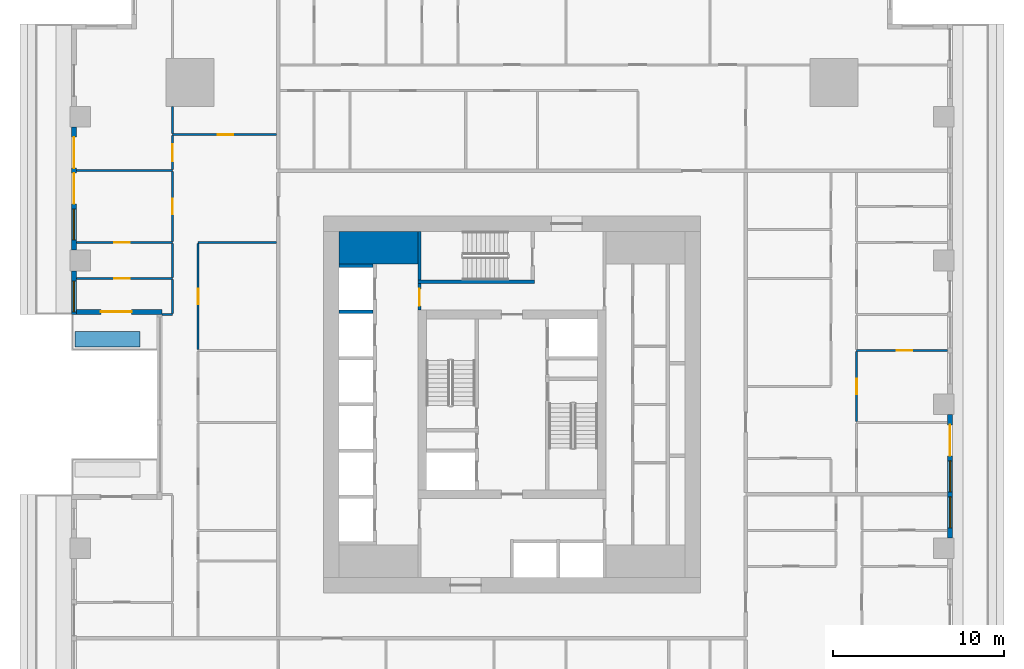
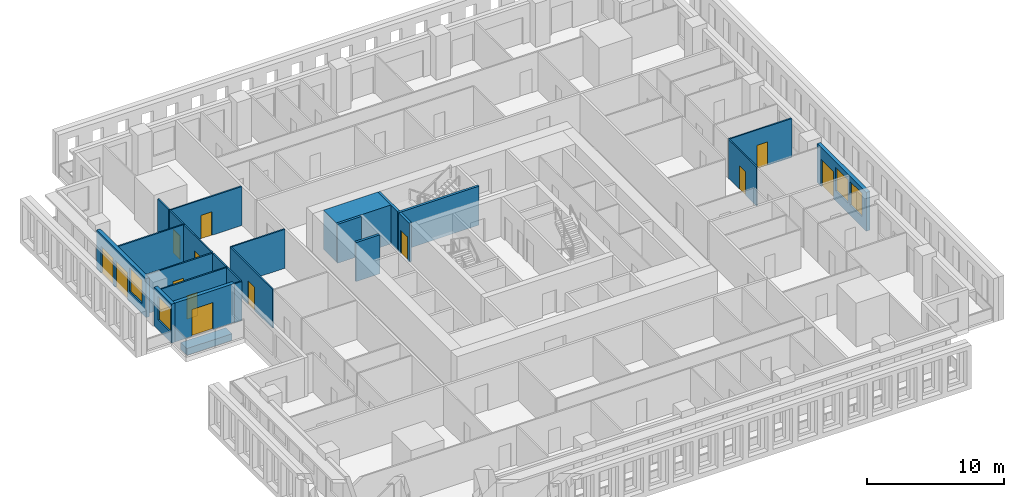
# One storey, part 6 of 14: 25 walls, 13 doors, 4 windows, 17 openings.
"""IFC4 building model written with IfcOpenShell, lengths in metres."""

from ifc_helpers import new_model, si_unit, direction, frame, frame_2d, origin, place, context, subcontext, project, spatial, rectangle, extrude, material, layer, layer_set, type_object, element, fill, save


model = new_model("IFC4")

# Units and contexts
model_context = context("Model", 3, precision=1e-05, world=origin(), true_north=direction((0.0, 1.0)))
body_context = subcontext(model_context, "Body", "Model", "MODEL_VIEW")
ifc_project = project(units=[si_unit("LENGTHUNIT", "METRE"), si_unit("AREAUNIT", "SQUARE_METRE"), si_unit("VOLUMEUNIT", "CUBIC_METRE"), si_unit("PLANEANGLEUNIT", "RADIAN"), si_unit("MASSUNIT", "GRAM", prefix="KILO")], contexts=[model_context])

# Site, building, storey
site_placement = place(None, origin())
site = spatial("IfcSite", under=ifc_project, at=site_placement, CompositionType="ELEMENT")
building_placement = place(site_placement, origin())
building = spatial("IfcBuilding", under=site, at=building_placement, Name="Khepri Terraces", CompositionType="ELEMENT")
storey_placement = place(building_placement, frame((0.0, 0.0, 87.0)))
storey = spatial("IfcBuildingStorey", under=building, at=storey_placement, Name="L20", CompositionType="ELEMENT", Elevation=87.0)

# Walls
ifc_material_1 = material(Name="Concrete C70/85", Category="concrete")
ifc_layer_1 = layer(ifc_material_1, 1.89990234375, Name="Concrete C70/85", Category="concrete")
ifc_layer_set_1 = layer_set([ifc_layer_1], Name="Concrete C70/85")
wall_type_1 = type_object("IfcWallType", Name="Core wall 1900 C70/85", PredefinedType="SHEAR", material=ifc_layer_set_1)
wall_1_placement = place(storey_placement, frame((-10.10009765625, 9.14990234375, 0.0), z_axis=(0.0, 0.0, 1.0), x_axis=(1.0, 0.0, 0.0)))
element("IfcWall", 1, at=wall_1_placement, inside=storey, type_object=wall_type_1, Name="Core wall PR03 L20", PredefinedType="SHEAR", context=body_context, shape_type="SweptSolid", body=[
    extrude(rectangle(XDim=4.60009765625, YDim=1.89990234375, at=frame_2d((2.300048828125, 0.0))), origin(), (0.0, 0.0, 1.0), 3.47998046875),
])
ifc_layer_2 = layer(ifc_material_1, 0.199951171875, Name="Concrete C70/85", Category="concrete")
ifc_layer_set_2 = layer_set([ifc_layer_2], Name="Concrete C70/85")
wall_type_2 = type_object("IfcWallType", Name="Core wall 200 C70/85", PredefinedType="SHEAR", material=ifc_layer_set_2)
wall_2_placement = place(storey_placement, frame((-5.5, 7.14990234375, 0.0), z_axis=(0.0, 0.0, 1.0), x_axis=(1.0, 0.0, 0.0)))
element("IfcWall", 2, at=wall_2_placement, inside=storey, type_object=wall_type_2, Name="Core wall ST05 L20", PredefinedType="SHEAR", context=body_context, shape_type="SweptSolid", body=[
    extrude(rectangle(XDim=6.800048828125, YDim=0.199951171875, at=frame_2d((3.39990234375, 0.0))), origin(), (0.0, 0.0, 1.0), 3.47998046875),
])
wall_3_placement = place(storey_placement, frame((-5.39990234375, 7.25, 0.0), z_axis=(0.0, 0.0, 1.0), x_axis=(0.0, 1.0, 0.0)))
element("IfcWall", 3, at=wall_3_placement, inside=storey, type_object=wall_type_2, Name="Core wall ST06 L20", PredefinedType="SHEAR", context=body_context, shape_type="SweptSolid", body=[
    extrude(rectangle(XDim=2.85009765625, YDim=0.199951171875, at=frame_2d((1.425048828125, 0.0))), origin(), (0.0, 0.0, 1.0), 3.47998046875),
])
for number, where, z_axis, x_axis, name in (
    (4, (-10.10009765625, 5.39990234375, 0.0), (0.0, 0.0, 1.0), (1.0, 0.0, 0.0), "Core wall SH19 L20"),
    (5, (-10.10009765625, 8.10009765625, 0.0), (0.0, 0.0, 1.0), (1.0, 0.0, 0.0), "Core wall SH20 L20"),
):
    element("IfcWall", number, at=place(storey_placement, frame(where, z_axis=z_axis, x_axis=x_axis)), inside=storey, type_object=wall_type_2, Name=name, PredefinedType="SHEAR", context=body_context, shape_type="SweptSolid", body=[
        extrude(rectangle(XDim=2.0, YDim=0.199951171875, at=frame_2d((1.0, 0.0))), origin(), (0.0, 0.0, 1.0), 3.47998046875),
    ])

# Wall, opening, door
ifc_material_2 = material(Name="Fire-rated gypsum board partition")
ifc_layer_3 = layer(ifc_material_2, 0.199951171875, Name="Fire-rated gypsum board partition")
ifc_layer_set_3 = layer_set([ifc_layer_3], Name="Fire-rated gypsum board partition")
wall_type_3 = type_object("IfcWallType", Name="WL-CORE-PART-200", PredefinedType="PARTITIONING", material=ifc_layer_set_3)
wall_4_placement = place(storey_placement, frame((-5.39990234375, 5.5, 0.0), z_axis=(0.0, 0.0, 1.0), x_axis=(0.0, 1.0, 0.0)))
wall_4 = element("IfcWall", 6, at=wall_4_placement, inside=storey, type_object=wall_type_3, Name="Core partition PT07 L20", PredefinedType="PARTITIONING", context=body_context, shape_type="SweptSolid", body=[
    extrude(rectangle(XDim=1.550048828125, YDim=0.199951171875, at=frame_2d((0.77490234375, 0.0))), origin(), (0.0, 0.0, 1.0), 3.47998046875),
])
opening_1_placement = place(wall_4_placement, frame((0.25, 0.0, 0.0)))
opening_1 = element("IfcOpeningElement", 7, at=opening_1_placement, cuts=wall_4, Name="Opening L20-C16", PredefinedType="OPENING", context=body_context, shape_type="SweptSolid", body=[
    extrude(rectangle(XDim=1.0, YDim=2.10009765625, at=frame_2d((0.5, 1.050048828125))), frame((0.0, 0.10986328125, 0.0), z_axis=(0.0, -1.0, 0.0), x_axis=(1.0, 0.0, 0.0)), (0.0, 0.0, 1.0), 0.219970703125),
])
ifc_material_3 = material(Name="Painted steel", Category="steel")
door_type_1 = type_object("IfcDoorType", Name="DR-CORE-LOBBY-1000", OperationType="NOTDEFINED", PredefinedType="DOOR", material=ifc_material_3)
door_1_placement = place(opening_1_placement, frame((1.0, 0.0, 0.0), z_axis=(0.0, 0.0, 1.0), x_axis=(-1.0, 0.0, 0.0)))
door_1 = element("IfcDoor", 8, at=door_1_placement, inside=storey, type_object=door_type_1, Name="Lobby door L20-C16", OperationType="SINGLE_SWING_RIGHT", OverallHeight=2.10009765625, OverallWidth=1.0, PredefinedType="DOOR", context=body_context, shape_type="SweptSolid", body=[
    extrude(rectangle(XDim=1.0, YDim=2.10009765625, at=frame_2d((0.5, 1.050048828125))), frame((0.0, 0.02490234375, 0.0), z_axis=(0.0, -1.0, 0.0), x_axis=(1.0, 0.0, 0.0)), (0.0, 0.0, 1.0), 0.050048828125),
])
fill(opening_1, door_1)

# Wall, openings, door, windows
ifc_material_4 = material(Name="Precast concrete C50/60 warm stone", Category="masonry")
ifc_layer_4 = layer(ifc_material_4, 0.300048828125, Name="Precast concrete C50/60 warm stone", Category="masonry")
ifc_layer_set_4 = layer_set([ifc_layer_4], Name="Precast concrete C50/60 warm stone")
wall_type_4 = type_object("IfcWallType", Name="WL-EXT-PRECAST-300", PredefinedType="STANDARD", material=ifc_layer_set_4)
wall_5_placement = place(storey_placement, frame((25.570068359375, -7.800048828125, 0.0), z_axis=(0.0, 0.0, 1.0), x_axis=(0.0, 1.0, 0.0)))
wall_5 = element("IfcWall", 9, at=wall_5_placement, inside=storey, type_object=wall_type_4, Name="External wall L20 E", PredefinedType="STANDARD", context=body_context, shape_type="SweptSolid", body=[
    extrude(rectangle(XDim=7.199951171875, YDim=0.300048828125, at=frame_2d((3.60009765625, 0.0))), origin(), (0.0, 0.0, 1.0), 3.47998046875),
])
opening_2_placement = place(wall_5_placement, frame((0.60009765625, 0.0, 0.89990234375)))
opening_2 = element("IfcOpeningElement", 10, at=opening_2_placement, cuts=wall_5, Name="Opening W1", PredefinedType="OPENING", context=body_context, shape_type="SweptSolid", body=[
    extrude(rectangle(XDim=1.800048828125, YDim=2.10009765625, at=frame_2d((0.89990234375, 1.050048828125))), frame((0.0, 0.16015625, 0.0), z_axis=(0.0, -1.0, 0.0), x_axis=(1.0, 0.0, 0.0)), (0.0, 0.0, 1.0), 0.320068359375),
])
opening_3_placement = place(wall_5_placement, frame((2.699951171875, 0.0, 0.89990234375)))
opening_3 = element("IfcOpeningElement", 11, at=opening_3_placement, cuts=wall_5, Name="Opening W1", PredefinedType="OPENING", context=body_context, shape_type="SweptSolid", body=[
    extrude(rectangle(XDim=1.800048828125, YDim=2.10009765625, at=frame_2d((0.89990234375, 1.050048828125))), frame((0.0, 0.16015625, 0.0), z_axis=(0.0, -1.0, 0.0), x_axis=(1.0, 0.0, 0.0)), (0.0, 0.0, 1.0), 0.320068359375),
])
opening_4_placement = place(wall_5_placement, frame((4.800048828125, 0.0, 0.0)))
opening_4 = element("IfcOpeningElement", 12, at=opening_4_placement, cuts=wall_5, Name="Opening ED-L20-04", PredefinedType="OPENING", context=body_context, shape_type="SweptSolid", body=[
    extrude(rectangle(XDim=1.800048828125, YDim=2.39990234375, at=frame_2d((0.89990234375, 1.199951171875))), frame((0.0, 0.16015625, 0.0), z_axis=(0.0, -1.0, 0.0), x_axis=(1.0, 0.0, 0.0)), (0.0, 0.0, 1.0), 0.320068359375),
])
ifc_material_5 = material(Name="Anodised aluminium bronze glazed door", Category="aluminium")
door_type_2 = type_object("IfcDoorType", Name="DR-BAL-SLIDE-1800x2400", OperationType="NOTDEFINED", PredefinedType="DOOR", material=ifc_material_5)
door_2_placement = place(opening_4_placement, origin())
door_2 = element("IfcDoor", 13, at=door_2_placement, inside=storey, type_object=door_type_2, Name="Balcony door L20 E", OperationType="SLIDING_TO_RIGHT", OverallHeight=2.39990234375, OverallWidth=1.800048828125, PredefinedType="DOOR", context=body_context, shape_type="SweptSolid", body=[
    extrude(rectangle(XDim=1.800048828125, YDim=2.39990234375, at=frame_2d((0.89990234375, 1.199951171875))), frame((0.0, 0.02490234375, 0.0), z_axis=(0.0, -1.0, 0.0), x_axis=(1.0, 0.0, 0.0)), (0.0, 0.0, 1.0), 0.050048828125),
])
fill(opening_4, door_2)
ifc_material_6 = material(Name="Clear glass", Category="glass")
window_type = type_object("IfcWindowType", Name="WIN-RES-1800x2100", PartitioningType="SINGLE_PANEL", PredefinedType="WINDOW", material=ifc_material_6)
window_1_placement = place(opening_2_placement, origin())
window_1 = element("IfcWindow", 14, at=window_1_placement, inside=storey, type_object=window_type, Name="Window L20 E", OverallHeight=2.10009765625, OverallWidth=1.800048828125, PartitioningType="SINGLE_PANEL", PredefinedType="WINDOW", context=body_context, shape_type="SweptSolid", body=[
    extrude(rectangle(XDim=1.800048828125, YDim=2.10009765625, at=frame_2d((0.89990234375, 1.050048828125))), frame((0.0, 0.030029296875, 0.0), z_axis=(0.0, -1.0, 0.0), x_axis=(1.0, 0.0, 0.0)), (0.0, 0.0, 1.0), 0.06005859375),
])
fill(opening_2, window_1)
window_2_placement = place(opening_3_placement, origin())
window_2 = element("IfcWindow", 15, at=window_2_placement, inside=storey, type_object=window_type, Name="Window L20 E", OverallHeight=2.10009765625, OverallWidth=1.800048828125, PartitioningType="SINGLE_PANEL", PredefinedType="WINDOW", context=body_context, shape_type="SweptSolid", body=[
    extrude(rectangle(XDim=1.800048828125, YDim=2.10009765625, at=frame_2d((0.89990234375, 1.050048828125))), frame((0.0, 0.030029296875, 0.0), z_axis=(0.0, -1.0, 0.0), x_axis=(1.0, 0.0, 0.0)), (0.0, 0.0, 1.0), 0.06005859375),
])
fill(opening_3, window_2)

# Wall, openings, doors, window
wall_6_placement = place(storey_placement, frame((-25.570068359375, 16.199951171875, 0.0), z_axis=(0.0, 0.0, 1.0), x_axis=(0.0, -1.0, 0.0)))
wall_6 = element("IfcWall", 16, at=wall_6_placement, inside=storey, type_object=wall_type_4, Name="External wall L20 W", PredefinedType="STANDARD", context=body_context, shape_type="SweptSolid", body=[
    extrude(rectangle(XDim=7.199951171875, YDim=0.300048828125, at=frame_2d((3.60009765625, 0.0))), origin(), (0.0, 0.0, 1.0), 3.47998046875),
])
opening_5_placement = place(wall_6_placement, frame((0.60009765625, 0.0, 0.0)))
opening_5 = element("IfcOpeningElement", 17, at=opening_5_placement, cuts=wall_6, Name="Opening ED-L20-15", PredefinedType="OPENING", context=body_context, shape_type="SweptSolid", body=[
    extrude(rectangle(XDim=1.800048828125, YDim=2.39990234375, at=frame_2d((0.89990234375, 1.199951171875))), frame((0.0, 0.16015625, 0.0), z_axis=(0.0, -1.0, 0.0), x_axis=(1.0, 0.0, 0.0)), (0.0, 0.0, 1.0), 0.320068359375),
])
opening_6_placement = place(wall_6_placement, frame((2.699951171875, 0.0, 0.0)))
opening_6 = element("IfcOpeningElement", 18, at=opening_6_placement, cuts=wall_6, Name="Opening ED-L20-16", PredefinedType="OPENING", context=body_context, shape_type="SweptSolid", body=[
    extrude(rectangle(XDim=1.800048828125, YDim=2.39990234375, at=frame_2d((0.89990234375, 1.199951171875))), frame((0.0, 0.16015625, 0.0), z_axis=(0.0, -1.0, 0.0), x_axis=(1.0, 0.0, 0.0)), (0.0, 0.0, 1.0), 0.320068359375),
])
opening_7_placement = place(wall_6_placement, frame((4.800048828125, 0.0, 0.89990234375)))
opening_7 = element("IfcOpeningElement", 19, at=opening_7_placement, cuts=wall_6, Name="Opening W1", PredefinedType="OPENING", context=body_context, shape_type="SweptSolid", body=[
    extrude(rectangle(XDim=1.800048828125, YDim=2.10009765625, at=frame_2d((0.89990234375, 1.050048828125))), frame((0.0, 0.16015625, 0.0), z_axis=(0.0, -1.0, 0.0), x_axis=(1.0, 0.0, 0.0)), (0.0, 0.0, 1.0), 0.320068359375),
])
door_3_placement = place(opening_5_placement, origin())
door_3 = element("IfcDoor", 20, at=door_3_placement, inside=storey, type_object=door_type_2, Name="Balcony door L20 W", OperationType="SLIDING_TO_LEFT", OverallHeight=2.39990234375, OverallWidth=1.800048828125, PredefinedType="DOOR", context=body_context, shape_type="SweptSolid", body=[
    extrude(rectangle(XDim=1.800048828125, YDim=2.39990234375, at=frame_2d((0.89990234375, 1.199951171875))), frame((0.0, 0.02490234375, 0.0), z_axis=(0.0, -1.0, 0.0), x_axis=(1.0, 0.0, 0.0)), (0.0, 0.0, 1.0), 0.050048828125),
])
fill(opening_5, door_3)
door_4_placement = place(opening_6_placement, origin())
door_4 = element("IfcDoor", 21, at=door_4_placement, inside=storey, type_object=door_type_2, Name="Balcony door L20 W", OperationType="SLIDING_TO_RIGHT", OverallHeight=2.39990234375, OverallWidth=1.800048828125, PredefinedType="DOOR", context=body_context, shape_type="SweptSolid", body=[
    extrude(rectangle(XDim=1.800048828125, YDim=2.39990234375, at=frame_2d((0.89990234375, 1.199951171875))), frame((0.0, 0.02490234375, 0.0), z_axis=(0.0, -1.0, 0.0), x_axis=(1.0, 0.0, 0.0)), (0.0, 0.0, 1.0), 0.050048828125),
])
fill(opening_6, door_4)
window_3_placement = place(opening_7_placement, origin())
window_3 = element("IfcWindow", 22, at=window_3_placement, inside=storey, type_object=window_type, Name="Window L20 W", OverallHeight=2.10009765625, OverallWidth=1.800048828125, PartitioningType="SINGLE_PANEL", PredefinedType="WINDOW", context=body_context, shape_type="SweptSolid", body=[
    extrude(rectangle(XDim=1.800048828125, YDim=2.10009765625, at=frame_2d((0.89990234375, 1.050048828125))), frame((0.0, 0.030029296875, 0.0), z_axis=(0.0, -1.0, 0.0), x_axis=(1.0, 0.0, 0.0)), (0.0, 0.0, 1.0), 0.06005859375),
])
fill(opening_7, window_3)

# Wall, opening, window
wall_7_placement = place(storey_placement, frame((-25.570068359375, 7.800048828125, 0.0), z_axis=(0.0, 0.0, 1.0), x_axis=(0.0, -1.0, 0.0)))
wall_7 = element("IfcWall", 23, at=wall_7_placement, inside=storey, type_object=wall_type_4, Name="External wall L20 W", PredefinedType="STANDARD", context=body_context, shape_type="SweptSolid", body=[
    extrude(rectangle(XDim=2.550048828125, YDim=0.300048828125, at=frame_2d((1.27490234375, 0.0))), origin(), (0.0, 0.0, 1.0), 3.47998046875),
])
opening_8_placement = place(wall_7_placement, frame((0.60009765625, 0.0, 0.89990234375)))
opening_8 = element("IfcOpeningElement", 24, at=opening_8_placement, cuts=wall_7, Name="Opening W1", PredefinedType="OPENING", context=body_context, shape_type="SweptSolid", body=[
    extrude(rectangle(XDim=1.800048828125, YDim=2.10009765625, at=frame_2d((0.89990234375, 1.050048828125))), frame((0.0, 0.16015625, 0.0), z_axis=(0.0, -1.0, 0.0), x_axis=(1.0, 0.0, 0.0)), (0.0, 0.0, 1.0), 0.320068359375),
])
window_4_placement = place(opening_8_placement, origin())
window_4 = element("IfcWindow", 25, at=window_4_placement, inside=storey, type_object=window_type, Name="Window L20 W", OverallHeight=2.10009765625, OverallWidth=1.800048828125, PartitioningType="SINGLE_PANEL", PredefinedType="WINDOW", context=body_context, shape_type="SweptSolid", body=[
    extrude(rectangle(XDim=1.800048828125, YDim=2.10009765625, at=frame_2d((0.89990234375, 1.050048828125))), frame((0.0, 0.030029296875, 0.0), z_axis=(0.0, -1.0, 0.0), x_axis=(1.0, 0.0, 0.0)), (0.0, 0.0, 1.0), 0.06005859375),
])
fill(opening_8, window_4)

# Wall, opening, door
wall_8_placement = place(storey_placement, frame((-25.419921875, 5.39990234375, 0.0), z_axis=(0.0, 0.0, 1.0), x_axis=(1.0, 0.0, 0.0)))
wall_8 = element("IfcWall", 26, at=wall_8_placement, inside=storey, type_object=wall_type_4, Name="External wall L20 S", PredefinedType="STANDARD", context=body_context, shape_type="SweptSolid", body=[
    extrude(rectangle(XDim=5.0, YDim=0.300048828125, at=frame_2d((2.5, 0.0))), origin(), (0.0, 0.0, 1.0), 3.47998046875),
])
opening_9_placement = place(wall_8_placement, frame((1.419921875, 0.0, 0.0)))
opening_9 = element("IfcOpeningElement", 27, at=opening_9_placement, cuts=wall_8, Name="Opening ED-L20-17", PredefinedType="OPENING", context=body_context, shape_type="SweptSolid", body=[
    extrude(rectangle(XDim=1.800048828125, YDim=2.39990234375, at=frame_2d((0.89990234375, 1.199951171875))), frame((0.0, 0.16015625, 0.0), z_axis=(0.0, -1.0, 0.0), x_axis=(1.0, 0.0, 0.0)), (0.0, 0.0, 1.0), 0.320068359375),
])
door_5_placement = place(opening_9_placement, origin())
door_5 = element("IfcDoor", 28, at=door_5_placement, inside=storey, type_object=door_type_2, Name="Balcony door L20 S", OperationType="SLIDING_TO_LEFT", OverallHeight=2.39990234375, OverallWidth=1.800048828125, PredefinedType="DOOR", context=body_context, shape_type="SweptSolid", body=[
    extrude(rectangle(XDim=1.800048828125, YDim=2.39990234375, at=frame_2d((0.89990234375, 1.199951171875))), frame((0.0, 0.02490234375, 0.0), z_axis=(0.0, -1.0, 0.0), x_axis=(1.0, 0.0, 0.0)), (0.0, 0.0, 1.0), 0.050048828125),
])
fill(opening_9, door_5)

ifc_material_7 = material(Name="Gypsum plasterboard partition")
ifc_layer_5 = layer(ifc_material_7, 0.1201171875, Name="Gypsum plasterboard partition")
ifc_layer_set_5 = layer_set([ifc_layer_5], Name="Gypsum plasterboard partition")
wall_type_5 = type_object("IfcWallType", Name="WL-PART-120", PredefinedType="PARTITIONING", material=ifc_layer_set_5)
wall_9_placement = place(storey_placement, frame((20.1201171875, -0.989990234375, 0.0), z_axis=(0.0, 0.0, 1.0), x_axis=(0.0, 1.0, 0.0)))
wall_9 = element("IfcWall", 29, at=wall_9_placement, inside=storey, type_object=wall_type_5, Name="Partition P-049 L20", PredefinedType="PARTITIONING", context=body_context, shape_type="SweptSolid", body=[
    extrude(rectangle(XDim=4.080078125, YDim=0.1201171875, at=frame_2d((2.0400390625, 0.0))), origin(), (0.0, 0.0, 1.0), 3.47998046875),
])
opening_10_placement = place(wall_9_placement, frame((1.590087890625, 0.0, 0.0)))
opening_10 = element("IfcOpeningElement", 30, at=opening_10_placement, cuts=wall_9, Name="Opening D3", PredefinedType="OPENING", context=body_context, shape_type="SweptSolid", body=[
    extrude(rectangle(XDim=0.89990234375, YDim=2.10009765625, at=frame_2d((0.449951171875, 1.050048828125))), frame((0.0, 0.070068359375, 0.0), z_axis=(0.0, -1.0, 0.0), x_axis=(1.0, 0.0, 0.0)), (0.0, 0.0, 1.0), 0.14013671875),
])
ifc_material_8 = material(Name="Timber door leaf", Category="wood")
door_type_3 = type_object("IfcDoorType", Name="DR-INT-900", OperationType="NOTDEFINED", PredefinedType="DOOR", material=ifc_material_8)
door_6_placement = place(opening_10_placement, frame((0.89990234375, 0.0, 0.0), z_axis=(0.0, 0.0, 1.0), x_axis=(-1.0, 0.0, 0.0)))
door_6 = element("IfcDoor", 31, at=door_6_placement, inside=storey, type_object=door_type_3, Name="Door Bedroom", OperationType="SINGLE_SWING_LEFT", OverallHeight=2.10009765625, OverallWidth=0.89990234375, PredefinedType="DOOR", context=body_context, shape_type="SweptSolid", body=[
    extrude(rectangle(XDim=0.89990234375, YDim=2.10009765625, at=frame_2d((0.449951171875, 1.050048828125))), frame((0.0, 0.02490234375, 0.0), z_axis=(0.0, -1.0, 0.0), x_axis=(1.0, 0.0, 0.0)), (0.0, 0.0, 1.0), 0.050048828125),
])
fill(opening_10, door_6)

wall_10_placement = place(storey_placement, frame((20.1201171875, 3.14990234375, 0.0), z_axis=(0.0, 0.0, 1.0), x_axis=(1.0, 0.0, 0.0)))
wall_10 = element("IfcWall", 32, at=wall_10_placement, inside=storey, type_object=wall_type_5, Name="Partition P-053 L20", PredefinedType="PARTITIONING", context=body_context, shape_type="SweptSolid", body=[
    extrude(rectangle(XDim=5.2998046875, YDim=0.1201171875, at=frame_2d((2.64990234375, 0.0))), origin(), (0.0, 0.0, 1.0), 3.47998046875),
])
opening_11_placement = place(wall_10_placement, frame((2.35009765625, 0.0, 0.0)))
opening_11 = element("IfcOpeningElement", 33, at=opening_11_placement, cuts=wall_10, Name="Opening D4", PredefinedType="OPENING", context=body_context, shape_type="SweptSolid", body=[
    extrude(rectangle(XDim=0.89990234375, YDim=2.10009765625, at=frame_2d((0.449951171875, 1.050048828125))), frame((0.0, 0.070068359375, 0.0), z_axis=(0.0, -1.0, 0.0), x_axis=(1.0, 0.0, 0.0)), (0.0, 0.0, 1.0), 0.14013671875),
])
ifc_material_9 = material(Name="Timber door leaf, moisture resistant", Category="wood")
door_type_4 = type_object("IfcDoorType", Name="DR-WET-900", OperationType="NOTDEFINED", PredefinedType="DOOR", material=ifc_material_9)
door_7_placement = place(opening_11_placement, origin())
door_7 = element("IfcDoor", 34, at=door_7_placement, inside=storey, type_object=door_type_4, Name="Door Bathroom", OperationType="SINGLE_SWING_RIGHT", OverallHeight=2.10009765625, OverallWidth=0.89990234375, PredefinedType="DOOR", context=body_context, shape_type="SweptSolid", body=[
    extrude(rectangle(XDim=0.89990234375, YDim=2.10009765625, at=frame_2d((0.449951171875, 1.050048828125))), frame((0.0, 0.02490234375, 0.0), z_axis=(0.0, -1.0, 0.0), x_axis=(1.0, 0.0, 0.0)), (0.0, 0.0, 1.0), 0.050048828125),
])
fill(opening_11, door_7)

wall_11_placement = place(storey_placement, frame((-18.320068359375, 3.2099609375, 0.0), z_axis=(0.0, 0.0, 1.0), x_axis=(0.0, 1.0, 0.0)))
wall_11 = element("IfcWall", 35, at=wall_11_placement, inside=storey, type_object=wall_type_5, Name="Partition P-054 L20", PredefinedType="PARTITIONING", context=body_context, shape_type="SweptSolid", body=[
    extrude(rectangle(XDim=6.179931640625, YDim=0.1201171875, at=frame_2d((3.08984375, 0.0))), origin(), (0.0, 0.0, 1.0), 3.47998046875),
])
opening_12_placement = place(wall_11_placement, frame((2.639892578125, 0.0, 0.0)))
opening_12 = element("IfcOpeningElement", 36, at=opening_12_placement, cuts=wall_11, Name="Opening D3", PredefinedType="OPENING", context=body_context, shape_type="SweptSolid", body=[
    extrude(rectangle(XDim=0.89990234375, YDim=2.10009765625, at=frame_2d((0.449951171875, 1.050048828125))), frame((0.0, 0.070068359375, 0.0), z_axis=(0.0, -1.0, 0.0), x_axis=(1.0, 0.0, 0.0)), (0.0, 0.0, 1.0), 0.14013671875),
])
door_8_placement = place(opening_12_placement, frame((0.89990234375, 0.0, 0.0), z_axis=(0.0, 0.0, 1.0), x_axis=(-1.0, 0.0, 0.0)))
door_8 = element("IfcDoor", 37, at=door_8_placement, inside=storey, type_object=door_type_3, Name="Door Kitchen", OperationType="SINGLE_SWING_RIGHT", OverallHeight=2.10009765625, OverallWidth=0.89990234375, PredefinedType="DOOR", context=body_context, shape_type="SweptSolid", body=[
    extrude(rectangle(XDim=0.89990234375, YDim=2.10009765625, at=frame_2d((0.449951171875, 1.050048828125))), frame((0.0, 0.02490234375, 0.0), z_axis=(0.0, -1.0, 0.0), x_axis=(1.0, 0.0, 0.0)), (0.0, 0.0, 1.0), 0.050048828125),
])
fill(opening_12, door_8)

# Walls
wall_12_placement = place(storey_placement, frame((-20.419921875, 5.25, 0.0), z_axis=(0.0, 0.0, 1.0), x_axis=(1.0, 0.0, 0.0)))
element("IfcWall", 38, at=wall_12_placement, inside=storey, type_object=wall_type_5, Name="Partition P-056 L20", PredefinedType="PARTITIONING", context=body_context, shape_type="SweptSolid", body=[
    extrude(rectangle(XDim=0.599853515625, YDim=0.1201171875, at=frame_2d((0.2998046875, 0.0))), origin(), (0.0, 0.0, 1.0), 3.47998046875),
])
wall_13_placement = place(storey_placement, frame((-19.820068359375, 5.31005859375, 0.0), z_axis=(0.0, 0.0, 1.0), x_axis=(0.0, 1.0, 0.0)))
element("IfcWall", 39, at=wall_13_placement, inside=storey, type_object=wall_type_5, Name="Partition P-058 L20", PredefinedType="PARTITIONING", context=body_context, shape_type="SweptSolid", body=[
    extrude(rectangle(XDim=1.97998046875, YDim=0.1201171875, at=frame_2d((0.989990234375, 0.0))), origin(), (0.0, 0.0, 1.0), 3.47998046875),
])

# Wall, opening, door
wall_14_placement = place(storey_placement, frame((-25.419921875, 7.35009765625, 0.0), z_axis=(0.0, 0.0, 1.0), x_axis=(1.0, 0.0, 0.0)))
wall_14 = element("IfcWall", 40, at=wall_14_placement, inside=storey, type_object=wall_type_5, Name="Partition P-060 L20", PredefinedType="PARTITIONING", context=body_context, shape_type="SweptSolid", body=[
    extrude(rectangle(XDim=5.599853515625, YDim=0.1201171875, at=frame_2d((2.7998046875, 0.0))), origin(), (0.0, 0.0, 1.0), 3.47998046875),
])
opening_13_placement = place(wall_14_placement, frame((2.199951171875, 0.0, 0.0)))
opening_13 = element("IfcOpeningElement", 41, at=opening_13_placement, cuts=wall_14, Name="Opening D4", PredefinedType="OPENING", context=body_context, shape_type="SweptSolid", body=[
    extrude(rectangle(XDim=0.89990234375, YDim=2.10009765625, at=frame_2d((0.449951171875, 1.050048828125))), frame((0.0, 0.070068359375, 0.0), z_axis=(0.0, -1.0, 0.0), x_axis=(1.0, 0.0, 0.0)), (0.0, 0.0, 1.0), 0.14013671875),
])
door_9_placement = place(opening_13_placement, frame((0.89990234375, 0.0, 0.0), z_axis=(0.0, 0.0, 1.0), x_axis=(-1.0, 0.0, 0.0)))
door_9 = element("IfcDoor", 42, at=door_9_placement, inside=storey, type_object=door_type_4, Name="Door Bathroom", OperationType="SINGLE_SWING_RIGHT", OverallHeight=2.10009765625, OverallWidth=0.89990234375, PredefinedType="DOOR", context=body_context, shape_type="SweptSolid", body=[
    extrude(rectangle(XDim=0.89990234375, YDim=2.10009765625, at=frame_2d((0.449951171875, 1.050048828125))), frame((0.0, 0.02490234375, 0.0), z_axis=(0.0, -1.0, 0.0), x_axis=(1.0, 0.0, 0.0)), (0.0, 0.0, 1.0), 0.050048828125),
])
fill(opening_13, door_9)

# Wall
wall_15_placement = place(storey_placement, frame((-19.820068359375, 7.409912109375, 0.0), z_axis=(0.0, 0.0, 1.0), x_axis=(0.0, 1.0, 0.0)))
element("IfcWall", 43, at=wall_15_placement, inside=storey, type_object=wall_type_5, Name="Partition P-062 L20", PredefinedType="PARTITIONING", context=body_context, shape_type="SweptSolid", body=[
    extrude(rectangle(XDim=1.97998046875, YDim=0.1201171875, at=frame_2d((0.989990234375, 0.0))), origin(), (0.0, 0.0, 1.0), 3.47998046875),
])

# Wall, opening, door
wall_16_placement = place(storey_placement, frame((-25.419921875, 9.449951171875, 0.0), z_axis=(0.0, 0.0, 1.0), x_axis=(1.0, 0.0, 0.0)))
wall_16 = element("IfcWall", 44, at=wall_16_placement, inside=storey, type_object=wall_type_5, Name="Partition P-064 L20", PredefinedType="PARTITIONING", context=body_context, shape_type="SweptSolid", body=[
    extrude(rectangle(XDim=5.599853515625, YDim=0.1201171875, at=frame_2d((2.7998046875, 0.0))), origin(), (0.0, 0.0, 1.0), 3.47998046875),
])
opening_14_placement = place(wall_16_placement, frame((2.199951171875, 0.0, 0.0)))
opening_14 = element("IfcOpeningElement", 45, at=opening_14_placement, cuts=wall_16, Name="Opening D3", PredefinedType="OPENING", context=body_context, shape_type="SweptSolid", body=[
    extrude(rectangle(XDim=0.89990234375, YDim=2.10009765625, at=frame_2d((0.449951171875, 1.050048828125))), frame((0.0, 0.070068359375, 0.0), z_axis=(0.0, -1.0, 0.0), x_axis=(1.0, 0.0, 0.0)), (0.0, 0.0, 1.0), 0.14013671875),
])
door_10_placement = place(opening_14_placement, frame((0.89990234375, 0.0, 0.0), z_axis=(0.0, 0.0, 1.0), x_axis=(-1.0, 0.0, 0.0)))
door_10 = element("IfcDoor", 46, at=door_10_placement, inside=storey, type_object=door_type_3, Name="Door Dressing Room", OperationType="SINGLE_SWING_RIGHT", OverallHeight=2.10009765625, OverallWidth=0.89990234375, PredefinedType="DOOR", context=body_context, shape_type="SweptSolid", body=[
    extrude(rectangle(XDim=0.89990234375, YDim=2.10009765625, at=frame_2d((0.449951171875, 1.050048828125))), frame((0.0, 0.02490234375, 0.0), z_axis=(0.0, -1.0, 0.0), x_axis=(1.0, 0.0, 0.0)), (0.0, 0.0, 1.0), 0.050048828125),
])
fill(opening_14, door_10)

# Wall
wall_17_placement = place(storey_placement, frame((-18.320068359375, 9.449951171875, 0.0), z_axis=(0.0, 0.0, 1.0), x_axis=(1.0, 0.0, 0.0)))
element("IfcWall", 47, at=wall_17_placement, inside=storey, type_object=wall_type_5, Name="Partition P-065 L20", PredefinedType="PARTITIONING", context=body_context, shape_type="SweptSolid", body=[
    extrude(rectangle(XDim=4.570068359375, YDim=0.1201171875, at=frame_2d((2.28515625, 0.0))), origin(), (0.0, 0.0, 1.0), 3.47998046875),
])

# Wall, opening, door
wall_18_placement = place(storey_placement, frame((-19.820068359375, 9.510009765625, 0.0), z_axis=(0.0, 0.0, 1.0), x_axis=(0.0, 1.0, 0.0)))
wall_18 = element("IfcWall", 48, at=wall_18_placement, inside=storey, type_object=wall_type_5, Name="Partition P-067 L20", PredefinedType="PARTITIONING", context=body_context, shape_type="SweptSolid", body=[
    extrude(rectangle(XDim=4.080078125, YDim=0.1201171875, at=frame_2d((2.0400390625, 0.0))), origin(), (0.0, 0.0, 1.0), 3.47998046875),
])
opening_15_placement = place(wall_18_placement, frame((1.590087890625, 0.0, 0.0)))
opening_15 = element("IfcOpeningElement", 49, at=opening_15_placement, cuts=wall_18, Name="Opening D3", PredefinedType="OPENING", context=body_context, shape_type="SweptSolid", body=[
    extrude(rectangle(XDim=0.89990234375, YDim=2.10009765625, at=frame_2d((0.449951171875, 1.050048828125))), frame((0.0, 0.070068359375, 0.0), z_axis=(0.0, -1.0, 0.0), x_axis=(1.0, 0.0, 0.0)), (0.0, 0.0, 1.0), 0.14013671875),
])
door_11_placement = place(opening_15_placement, origin())
door_11 = element("IfcDoor", 50, at=door_11_placement, inside=storey, type_object=door_type_3, Name="Door Master Bedroom", OperationType="SINGLE_SWING_RIGHT", OverallHeight=2.10009765625, OverallWidth=0.89990234375, PredefinedType="DOOR", context=body_context, shape_type="SweptSolid", body=[
    extrude(rectangle(XDim=0.89990234375, YDim=2.10009765625, at=frame_2d((0.449951171875, 1.050048828125))), frame((0.0, 0.02490234375, 0.0), z_axis=(0.0, -1.0, 0.0), x_axis=(1.0, 0.0, 0.0)), (0.0, 0.0, 1.0), 0.050048828125),
])
fill(opening_15, door_11)

# Wall
wall_19_placement = place(storey_placement, frame((-25.419921875, 13.64990234375, 0.0), z_axis=(0.0, 0.0, 1.0), x_axis=(1.0, 0.0, 0.0)))
element("IfcWall", 51, at=wall_19_placement, inside=storey, type_object=wall_type_5, Name="Partition P-073 L20", PredefinedType="PARTITIONING", context=body_context, shape_type="SweptSolid", body=[
    extrude(rectangle(XDim=5.599853515625, YDim=0.1201171875, at=frame_2d((2.7998046875, 0.0))), origin(), (0.0, 0.0, 1.0), 3.47998046875),
])

# Wall, opening, door
wall_20_placement = place(storey_placement, frame((-19.820068359375, 13.7099609375, 0.0), z_axis=(0.0, 0.0, 1.0), x_axis=(0.0, 1.0, 0.0)))
wall_20 = element("IfcWall", 52, at=wall_20_placement, inside=storey, type_object=wall_type_5, Name="Partition P-075 L20", PredefinedType="PARTITIONING", context=body_context, shape_type="SweptSolid", body=[
    extrude(rectangle(XDim=1.97998046875, YDim=0.1201171875, at=frame_2d((0.989990234375, 0.0))), origin(), (0.0, 0.0, 1.0), 3.47998046875),
])
opening_16_placement = place(wall_20_placement, frame((0.489990234375, 0.0, 0.0)))
opening_16 = element("IfcOpeningElement", 53, at=opening_16_placement, cuts=wall_20, Name="Opening D2", PredefinedType="OPENING", context=body_context, shape_type="SweptSolid", body=[
    extrude(rectangle(XDim=1.0, YDim=2.10009765625, at=frame_2d((0.5, 1.050048828125))), frame((0.0, 0.070068359375, 0.0), z_axis=(0.0, -1.0, 0.0), x_axis=(1.0, 0.0, 0.0)), (0.0, 0.0, 1.0), 0.14013671875),
])
ifc_material_10 = material(Name="Timber door leaf, living room door", Category="wood")
door_type_5 = type_object("IfcDoorType", Name="DR-INT-1000", OperationType="NOTDEFINED", PredefinedType="DOOR", material=ifc_material_10)
door_12_placement = place(opening_16_placement, origin())
door_12 = element("IfcDoor", 54, at=door_12_placement, inside=storey, type_object=door_type_5, Name="Door Living Room", OperationType="SINGLE_SWING_LEFT", OverallHeight=2.10009765625, OverallWidth=1.0, PredefinedType="DOOR", context=body_context, shape_type="SweptSolid", body=[
    extrude(rectangle(XDim=1.0, YDim=2.10009765625, at=frame_2d((0.5, 1.050048828125))), frame((0.0, 0.02490234375, 0.0), z_axis=(0.0, -1.0, 0.0), x_axis=(1.0, 0.0, 0.0)), (0.0, 0.0, 1.0), 0.050048828125),
])
fill(opening_16, door_12)

wall_21_placement = place(storey_placement, frame((-19.820068359375, 15.75, 0.0), z_axis=(0.0, 0.0, 1.0), x_axis=(1.0, 0.0, 0.0)))
wall_21 = element("IfcWall", 55, at=wall_21_placement, inside=storey, type_object=wall_type_5, Name="Partition P-083 L20", PredefinedType="PARTITIONING", context=body_context, shape_type="SweptSolid", body=[
    extrude(rectangle(XDim=6.070068359375, YDim=0.1201171875, at=frame_2d((3.03515625, 0.0))), origin(), (0.0, 0.0, 1.0), 3.47998046875),
])
opening_17_placement = place(wall_21_placement, frame((2.635009765625, 0.0, 0.0)))
opening_17 = element("IfcOpeningElement", 56, at=opening_17_placement, cuts=wall_21, Name="Opening D3", PredefinedType="OPENING", context=body_context, shape_type="SweptSolid", body=[
    extrude(rectangle(XDim=0.89990234375, YDim=2.10009765625, at=frame_2d((0.449951171875, 1.050048828125))), frame((0.0, 0.070068359375, 0.0), z_axis=(0.0, -1.0, 0.0), x_axis=(1.0, 0.0, 0.0)), (0.0, 0.0, 1.0), 0.14013671875),
])
door_13_placement = place(opening_17_placement, origin())
door_13 = element("IfcDoor", 57, at=door_13_placement, inside=storey, type_object=door_type_3, Name="Door Home Cinema", OperationType="SINGLE_SWING_RIGHT", OverallHeight=2.10009765625, OverallWidth=0.89990234375, PredefinedType="DOOR", context=body_context, shape_type="SweptSolid", body=[
    extrude(rectangle(XDim=0.89990234375, YDim=2.10009765625, at=frame_2d((0.449951171875, 1.050048828125))), frame((0.0, 0.02490234375, 0.0), z_axis=(0.0, -1.0, 0.0), x_axis=(1.0, 0.0, 0.0)), (0.0, 0.0, 1.0), 0.050048828125),
])
fill(opening_17, door_13)

# Walls
wall_22_placement = place(storey_placement, frame((-19.820068359375, 15.81005859375, 0.0), z_axis=(0.0, 0.0, 1.0), x_axis=(0.0, 1.0, 0.0)))
element("IfcWall", 58, at=wall_22_placement, inside=storey, type_object=wall_type_5, Name="Partition P-084 L20", PredefinedType="PARTITIONING", context=body_context, shape_type="SweptSolid", body=[
    extrude(rectangle(XDim=1.58984375, YDim=0.1201171875, at=frame_2d((0.794921875, 0.0))), origin(), (0.0, 0.0, 1.0), 3.47998046875),
])
ifc_layer_6 = layer(ifc_material_4, 0.89990234375, Name="Precast concrete C50/60 warm stone", Category="masonry")
ifc_layer_set_6 = layer_set([ifc_layer_6], Name="Precast concrete C50/60 warm stone")
wall_type_6 = type_object("IfcWallType", Name="WL-PLANTER-900", PredefinedType="MOVABLE", material=ifc_layer_set_6)
wall_23_placement = place(storey_placement, frame((-25.52001953125, 3.800048828125, 0.0), z_axis=(0.0, 0.0, 1.0), x_axis=(1.0, 0.0, 0.0)))
element("IfcWall", 59, at=wall_23_placement, inside=storey, type_object=wall_type_6, Name="Planter L20", PredefinedType="MOVABLE", context=body_context, shape_type="SweptSolid", body=[
    extrude(rectangle(XDim=3.800048828125, YDim=0.89990234375, at=frame_2d((1.89990234375, 0.0))), origin(), (0.0, 0.0, 1.0), 0.60009765625),
])

save(model, "model.ifc")
